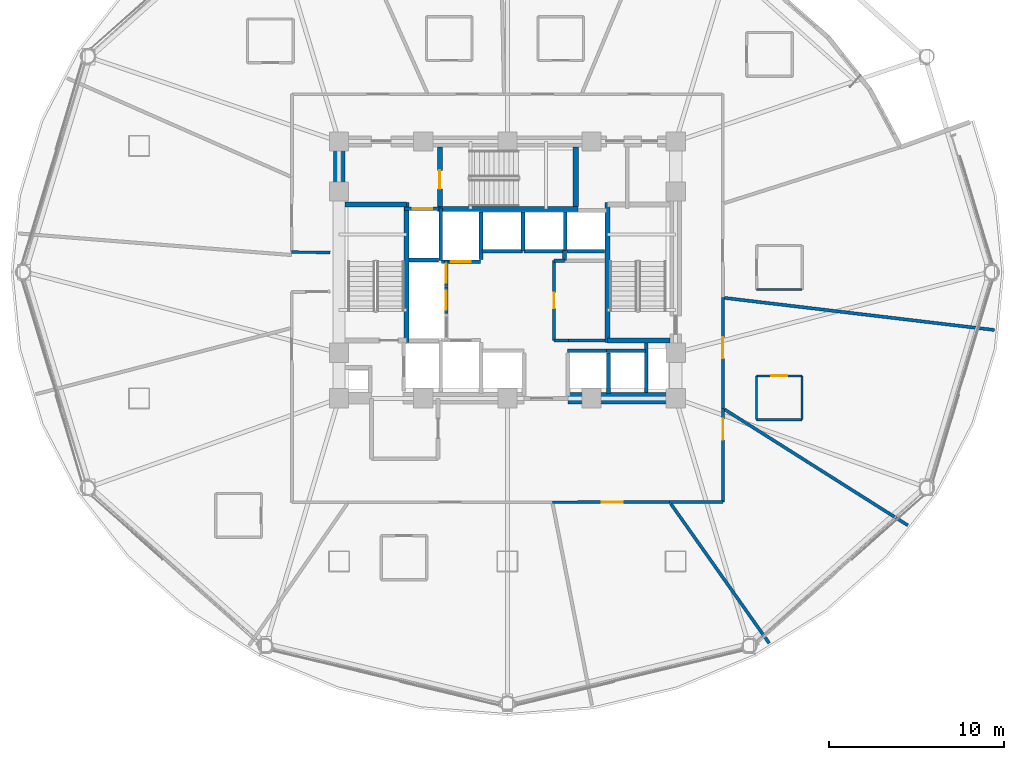
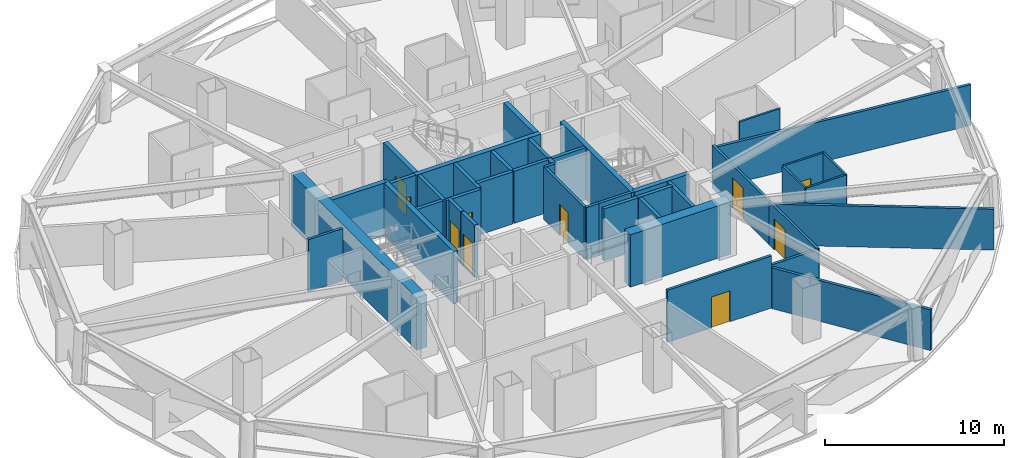
# One storey, part 9 of 16: 43 walls, 10 doors, 10 openings.
"""IFC4 building model written with IfcOpenShell, lengths in metres."""

from ifc_helpers import new_model, si_unit, direction, frame, frame_2d, origin, place, context, subcontext, project, spatial, rectangle, extrude, material, layer, layer_set, type_object, element, fill, save


model = new_model("IFC4")

# Units and contexts
model_context = context("Model", 3, precision=1e-05, world=origin(), true_north=direction((0.0, 1.0)))
body_context = subcontext(model_context, "Body", "Model", "MODEL_VIEW")
ifc_project = project(units=[si_unit("LENGTHUNIT", "METRE"), si_unit("AREAUNIT", "SQUARE_METRE"), si_unit("VOLUMEUNIT", "CUBIC_METRE"), si_unit("PLANEANGLEUNIT", "RADIAN"), si_unit("MASSUNIT", "GRAM", prefix="KILO")], contexts=[model_context])

# Site, building, storey
site_placement = place(None, origin())
site = spatial("IfcSite", under=ifc_project, at=site_placement, CompositionType="ELEMENT")
building_placement = place(site_placement, origin())
building = spatial("IfcBuilding", under=site, at=building_placement, Name="Vantalir Tower", CompositionType="ELEMENT")
storey_placement = place(building_placement, frame((0.0, 0.0, 75.75)))
storey = spatial("IfcBuildingStorey", under=building, at=storey_placement, Name="L18", CompositionType="ELEMENT", Elevation=75.75)

# Wall
ifc_material_1 = material(Name="Moisture-resistant en-suite partition", Category="gypsum")
ifc_layer_1 = layer(ifc_material_1, 0.125)
ifc_layer_set_1 = layer_set([ifc_layer_1], Name="Moisture-resistant en-suite partition")
wall_type_1 = type_object("IfcWallType", Name="WL-BATH-125", PredefinedType="PARTITIONING", material=ifc_layer_set_1)
wall_1_placement = place(storey_placement, frame((45.7109375, 16.5791015625, 0.0), z_axis=(0.0, 0.0, 1.0), x_axis=(1.0, 0.0, 0.0)))
element("IfcWall", 1, at=wall_1_placement, inside=storey, type_object=wall_type_1, Name="L18 En-suite 11 South Wall", PredefinedType="PARTITIONING", context=body_context, shape_type="SweptSolid", body=[
    extrude(rectangle(XDim=2.60009765625, YDim=0.125, at=frame_2d((1.300048828125, 0.0))), origin(), (0.0, 0.0, 1.0), 3.550048828125),
])

# Wall, opening, door
wall_2_placement = place(storey_placement, frame((45.7109375, 19.0791015625, 0.0), z_axis=(0.0, 0.0, 1.0), x_axis=(1.0, 0.0, 0.0)))
wall_2 = element("IfcWall", 2, at=wall_2_placement, inside=storey, type_object=wall_type_1, Name="L18 En-suite 11 North Wall", PredefinedType="PARTITIONING", context=body_context, shape_type="SweptSolid", body=[
    extrude(rectangle(XDim=2.60009765625, YDim=0.125, at=frame_2d((1.300048828125, 0.0))), origin(), (0.0, 0.0, 1.0), 3.550048828125),
])
opening_1_placement = place(wall_2_placement, frame((0.85009765625, 0.0, 0.0)))
opening_1 = element("IfcOpeningElement", 3, at=opening_1_placement, cuts=wall_2, Name="Opening D-WC", PredefinedType="OPENING", context=body_context, shape_type="SweptSolid", body=[
    extrude(rectangle(XDim=0.89990234375, YDim=2.10009765625, at=frame_2d((0.449951171875, 1.050048828125))), frame((0.0, 0.072509765625, 0.0), z_axis=(0.0, -1.0, 0.0), x_axis=(1.0, 0.0, 0.0)), (0.0, 0.0, 1.0), 0.14501953125),
])
ifc_material_2 = material(Name="Moisture-resistant hardwood door", Category="wood")
door_type_1 = type_object("IfcDoorType", Name="DR-ENSUITE-900", OperationType="NOTDEFINED", PredefinedType="DOOR", material=ifc_material_2)
door_1_placement = place(opening_1_placement, frame((0.89990234375, 0.0, 0.0), z_axis=(0.0, 0.0, 1.0), x_axis=(-1.0, 0.0, 0.0)))
door_1 = element("IfcDoor", 4, at=door_1_placement, inside=storey, type_object=door_type_1, Name="L18 En-suite 11 Door", OperationType="SINGLE_SWING_RIGHT", OverallHeight=2.10009765625, OverallWidth=0.89990234375, PredefinedType="DOOR", context=body_context, shape_type="SweptSolid", body=[
    extrude(rectangle(XDim=0.89990234375, YDim=2.10009765625, at=frame_2d((0.449951171875, 1.050048828125))), frame((0.0, 0.02490234375, 0.0), z_axis=(0.0, -1.0, 0.0), x_axis=(1.0, 0.0, 0.0)), (0.0, 0.0, 1.0), 0.050048828125),
])
fill(opening_1, door_1)

# Walls
for number, where, z_axis, x_axis, name in (
    (5, (45.7109375, 16.5791015625, 0.0), (0.0, 0.0, 1.0), (0.0, 1.0, 0.0), "L18 En-suite 11 West Wall"),
    (6, (48.31103515625, 16.5791015625, 0.0), (0.0, 0.0, 1.0), (0.0, 1.0, 0.0), "L18 En-suite 11 East Wall"),
):
    element("IfcWall", number, at=place(storey_placement, frame(where, z_axis=z_axis, x_axis=x_axis)), inside=storey, type_object=wall_type_1, Name=name, PredefinedType="PARTITIONING", context=body_context, shape_type="SweptSolid", body=[
        extrude(rectangle(XDim=2.5, YDim=0.125, at=frame_2d((1.25, 0.0))), origin(), (0.0, 0.0, 1.0), 3.550048828125),
    ])
wall_3_placement = place(storey_placement, frame((45.717041015625, 24.010986328125, 0.0), z_axis=(0.0, 0.0, 1.0), x_axis=(1.0, 0.0, 0.0)))
element("IfcWall", 7, at=wall_3_placement, inside=storey, type_object=wall_type_1, Name="L18 En-suite 12 South Wall", PredefinedType="PARTITIONING", context=body_context, shape_type="SweptSolid", body=[
    extrude(rectangle(XDim=2.599853515625, YDim=0.125, at=frame_2d((1.2998046875, 0.0))), origin(), (0.0, 0.0, 1.0), 3.550048828125),
])
ifc_material_3 = material(Name="Concrete C60/75", Category="concrete")
ifc_layer_2 = layer(ifc_material_3, 0.64990234375)
ifc_layer_set_2 = layer_set([ifc_layer_2], Name="Concrete C60/75")
wall_type_2 = type_object("IfcWallType", Name="WL-CORE-650", PredefinedType="SHEAR", material=ifc_layer_set_2)
wall_4_placement = place(storey_placement, frame((34.949951171875, 17.800048828125, 0.0), z_axis=(0.0, 0.0, 1.0), x_axis=(1.0, 0.0, 0.0)))
element("IfcWall", 8, at=wall_4_placement, inside=storey, type_object=wall_type_2, Name="L18 Core Shear Wall South-East", PredefinedType="SHEAR", context=body_context, shape_type="SweptSolid", body=[
    extrude(rectangle(XDim=6.47509765625, YDim=0.64990234375, at=frame_2d((3.237548828125, 0.0))), origin(), (0.0, 0.0, 1.0), 3.570068359375),
])
wall_5_placement = place(storey_placement, frame((21.89990234375, 18.125, 0.0), z_axis=(0.0, 0.0, 1.0), x_axis=(0.0, 1.0, 0.0)))
element("IfcWall", 9, at=wall_5_placement, inside=storey, type_object=wall_type_2, Name="L18 Core Shear Wall West", PredefinedType="SHEAR", context=body_context, shape_type="SweptSolid", body=[
    extrude(rectangle(XDim=14.0, YDim=0.64990234375, at=frame_2d((7.0, 0.0))), origin(), (0.0, 0.0, 1.0), 3.570068359375),
])
ifc_material_4 = material(Name="Fire-rated hotel corridor acoustic partition", Category="gypsum")
ifc_layer_3 = layer(ifc_material_4, 0.159912109375)
ifc_layer_set_3 = layer_set([ifc_layer_3], Name="Fire-rated hotel corridor acoustic partition")
wall_type_3 = type_object("IfcWallType", Name="WL-CORR-160", PredefinedType="PARTITIONING", material=ifc_layer_set_3)
wall_6_placement = place(storey_placement, frame((21.39501953125, 26.116943359375, 0.0), z_axis=(0.0, 0.0, 1.0), x_axis=(-0.999934504226, 0.011444966545, 0.0)))
element("IfcWall", 10, at=wall_6_placement, inside=storey, type_object=wall_type_3, Name="L18 Corridor Partition 01", PredefinedType="PARTITIONING", context=body_context, shape_type="SweptSolid", body=[
    extrude(rectangle(XDim=2.197265625, YDim=0.159912109375, at=frame_2d((1.0986328125, 0.0))), origin(), (0.0, 0.0, 1.0), 3.550048828125),
])

# Wall, opening, door
wall_7_placement = place(storey_placement, frame((43.7900390625, 23.5390625, 0.0), z_axis=(0.0, 0.0, 1.0), x_axis=(0.000618668198, -0.999999808625, 0.0)))
wall_7 = element("IfcWall", 11, at=wall_7_placement, inside=storey, type_object=wall_type_3, Name="L18 Corridor Partition 10", PredefinedType="PARTITIONING", context=body_context, shape_type="SweptSolid", body=[
    extrude(rectangle(XDim=6.31396484375, YDim=0.159912109375, at=frame_2d((3.156982421875, 0.0))), origin(), (0.0, 0.0, 1.0), 2.927978515625),
])
opening_2_placement = place(wall_7_placement, frame((2.257080078125, 0.0, 0.0)))
opening_2 = element("IfcOpeningElement", 12, at=opening_2_placement, cuts=wall_7, Name="Opening D-STE", PredefinedType="OPENING", context=body_context, shape_type="SweptSolid", body=[
    extrude(rectangle(XDim=1.199951171875, YDim=2.10009765625, at=frame_2d((0.60009765625, 1.050048828125))), frame((0.0, 0.08984375, 0.0), z_axis=(0.0, -1.0, 0.0), x_axis=(1.0, 0.0, 0.0)), (0.0, 0.0, 1.0), 0.179931640625),
])
ifc_material_5 = material(Name="Solid-core teak veneer suite entrance door", Category="wood")
door_type_2 = type_object("IfcDoorType", Name="DR-SUITE-ENTRY-1200", OperationType="NOTDEFINED", PredefinedType="DOOR", material=ifc_material_5)
door_2_placement = place(opening_2_placement, origin())
door_2 = element("IfcDoor", 13, at=door_2_placement, inside=storey, type_object=door_type_2, Name="L18 Corner Panorama Hotel Suite 11 Door", OperationType="SINGLE_SWING_LEFT", OverallHeight=2.10009765625, OverallWidth=1.199951171875, PredefinedType="DOOR", context=body_context, shape_type="SweptSolid", body=[
    extrude(rectangle(XDim=1.199951171875, YDim=2.10009765625, at=frame_2d((0.60009765625, 1.050048828125))), frame((0.0, 0.02490234375, 0.0), z_axis=(0.0, -1.0, 0.0), x_axis=(1.0, 0.0, 0.0)), (0.0, 0.0, 1.0), 0.050048828125),
])
fill(opening_2, door_2)

wall_8_placement = place(storey_placement, frame((43.7939453125, 17.22509765625, 0.0), z_axis=(0.0, 0.0, 1.0), x_axis=(0.000777071576, -0.99999969808, 0.0)))
wall_8 = element("IfcWall", 14, at=wall_8_placement, inside=storey, type_object=wall_type_3, Name="L18 Corridor Partition 11", PredefinedType="PARTITIONING", context=body_context, shape_type="SweptSolid", body=[
    extrude(rectangle(XDim=5.341064453125, YDim=0.159912109375, at=frame_2d((2.67041015625, 0.0))), origin(), (0.0, 0.0, 1.0), 2.927978515625),
])
opening_3_placement = place(wall_8_placement, frame((0.60107421875, 0.0, 0.0)))
opening_3 = element("IfcOpeningElement", 15, at=opening_3_placement, cuts=wall_8, Name="Opening D-STE", PredefinedType="OPENING", context=body_context, shape_type="SweptSolid", body=[
    extrude(rectangle(XDim=1.199951171875, YDim=2.10009765625, at=frame_2d((0.60009765625, 1.050048828125))), frame((0.0, 0.08984375, 0.0), z_axis=(0.0, -1.0, 0.0), x_axis=(1.0, 0.0, 0.0)), (0.0, 0.0, 1.0), 0.179931640625),
])
door_3_placement = place(opening_3_placement, origin())
door_3 = element("IfcDoor", 16, at=door_3_placement, inside=storey, type_object=door_type_2, Name="L18 Executive Sky Boardroom 10 Door", OperationType="SINGLE_SWING_RIGHT", OverallHeight=2.10009765625, OverallWidth=1.199951171875, PredefinedType="DOOR", context=body_context, shape_type="SweptSolid", body=[
    extrude(rectangle(XDim=1.199951171875, YDim=2.10009765625, at=frame_2d((0.60009765625, 1.050048828125))), frame((0.0, 0.02490234375, 0.0), z_axis=(0.0, -1.0, 0.0), x_axis=(1.0, 0.0, 0.0)), (0.0, 0.0, 1.0), 0.050048828125),
])
fill(opening_3, door_3)

# Wall
wall_9_placement = place(storey_placement, frame((43.798095703125, 11.884033203125, 0.0), z_axis=(0.0, 0.0, 1.0), x_axis=(-0.999999794312, -0.000641385261, 0.0)))
element("IfcWall", 17, at=wall_9_placement, inside=storey, type_object=wall_type_3, Name="L18 Corridor Partition 12", PredefinedType="PARTITIONING", context=body_context, shape_type="SweptSolid", body=[
    extrude(rectangle(XDim=3.045166015625, YDim=0.159912109375, at=frame_2d((1.5224609375, 0.0))), origin(), (0.0, 0.0, 1.0), 2.927978515625),
])

# Wall, opening, door
wall_10_placement = place(storey_placement, frame((40.7529296875, 11.882080078125, 0.0), z_axis=(0.0, 0.0, 1.0), x_axis=(-0.999999706426, -0.00076625534, 0.0)))
wall_10 = element("IfcWall", 18, at=wall_10_placement, inside=storey, type_object=wall_type_3, Name="L18 Corridor Partition 13", PredefinedType="PARTITIONING", context=body_context, shape_type="SweptSolid", body=[
    extrude(rectangle(XDim=6.69091796875, YDim=0.159912109375, at=frame_2d((3.345458984375, 0.0))), origin(), (0.0, 0.0, 1.0), 3.550048828125),
])
opening_4_placement = place(wall_10_placement, frame((2.672119140625, 0.0, 0.0)))
opening_4 = element("IfcOpeningElement", 19, at=opening_4_placement, cuts=wall_10, Name="Opening D-STE", PredefinedType="OPENING", context=body_context, shape_type="SweptSolid", body=[
    extrude(rectangle(XDim=1.199951171875, YDim=2.10009765625, at=frame_2d((0.60009765625, 1.050048828125))), frame((0.0, 0.08984375, 0.0), z_axis=(0.0, -1.0, 0.0), x_axis=(1.0, 0.0, 0.0)), (0.0, 0.0, 1.0), 0.179931640625),
])
door_4_placement = place(opening_4_placement, origin())
door_4 = element("IfcDoor", 20, at=door_4_placement, inside=storey, type_object=door_type_2, Name="L18 Executive Sky Boardroom 09 Door", OperationType="SINGLE_SWING_LEFT", OverallHeight=2.10009765625, OverallWidth=1.199951171875, PredefinedType="DOOR", context=body_context, shape_type="SweptSolid", body=[
    extrude(rectangle(XDim=1.199951171875, YDim=2.10009765625, at=frame_2d((0.60009765625, 1.050048828125))), frame((0.0, 0.02490234375, 0.0), z_axis=(0.0, -1.0, 0.0), x_axis=(1.0, 0.0, 0.0)), (0.0, 0.0, 1.0), 0.050048828125),
])
fill(opening_4, door_4)

# Walls
ifc_material_6 = material(Name="Concrete blockwork with fireboard lining", Category="masonry")
ifc_layer_4 = layer(ifc_material_6, 0.219970703125)
ifc_layer_set_4 = layer_set([ifc_layer_4], Name="Concrete blockwork with fireboard lining")
wall_type_4 = type_object("IfcWallType", Name="WL-FFL-220", PredefinedType="PARTITIONING", material=ifc_layer_set_4)
wall_11_placement = place(storey_placement, frame((37.27490234375, 18.080078125, 0.0), z_axis=(0.0, 0.0, 1.0), x_axis=(0.0, 1.0, 0.0)))
element("IfcWall", 21, at=wall_11_placement, inside=storey, type_object=wall_type_4, Name="L18 Shuttle Lift PL-X2/X3 Shaft Divider", PredefinedType="PARTITIONING", context=body_context, shape_type="SweptSolid", body=[
    extrude(rectangle(XDim=2.309814453125, YDim=0.219970703125, at=frame_2d((1.15478515625, 0.0))), origin(), (0.0, 0.0, 1.0), 3.544921875),
])
wall_12_placement = place(storey_placement, frame((30.0, 25.7099609375, 0.0), z_axis=(0.0, 0.0, 1.0), x_axis=(0.0, 1.0, 0.0)))
element("IfcWall", 22, at=wall_12_placement, inside=storey, type_object=wall_type_4, Name="L18 Service Lift SV2 East Shaft Wall", PredefinedType="PARTITIONING", context=body_context, shape_type="SweptSolid", body=[
    extrude(rectangle(XDim=2.72998046875, YDim=0.219970703125, at=frame_2d((1.364990234375, 0.0))), origin(), (0.0, 0.0, 1.0), 3.544921875),
])
wall_13_placement = place(storey_placement, frame((32.39990234375, 26.199951171875, 0.0), z_axis=(0.0, 0.0, 1.0), x_axis=(0.0, 1.0, 0.0)))
element("IfcWall", 23, at=wall_13_placement, inside=storey, type_object=wall_type_4, Name="L18 High-Rise Lift PL-H1/H2 Shaft Divider", PredefinedType="PARTITIONING", context=body_context, shape_type="SweptSolid", body=[
    extrude(rectangle(XDim=2.239990234375, YDim=0.219970703125, at=frame_2d((1.1201171875, 0.0))), origin(), (0.0, 0.0, 1.0), 3.544921875),
])
wall_14_placement = place(storey_placement, frame((34.800048828125, 26.22998046875, 0.0), z_axis=(0.0, 0.0, 1.0), x_axis=(0.0, 1.0, 0.0)))
element("IfcWall", 24, at=wall_14_placement, inside=storey, type_object=wall_type_4, Name="L18 High-Rise Lift PL-H2/H3 Shaft Divider", PredefinedType="PARTITIONING", context=body_context, shape_type="SweptSolid", body=[
    extrude(rectangle(XDim=2.2099609375, YDim=0.219970703125, at=frame_2d((1.10498046875, 0.0))), origin(), (0.0, 0.0, 1.0), 3.544921875),
])
wall_15_placement = place(storey_placement, frame((34.909912109375, 26.18994140625, 0.0), z_axis=(0.0, 0.0, 1.0), x_axis=(1.0, 0.0, 0.0)))
element("IfcWall", 25, at=wall_15_placement, inside=storey, type_object=wall_type_4, Name="L18 High-Rise Lift PL-H3 Rear Shaft Wall", PredefinedType="PARTITIONING", context=body_context, shape_type="SweptSolid", body=[
    extrude(rectangle(XDim=2.14013671875, YDim=0.219970703125, at=frame_2d((1.070068359375, 0.0))), origin(), (0.0, 0.0, 1.0), 3.544921875),
])
wall_16_placement = place(storey_placement, frame((39.419921875, 18.125, 0.0), z_axis=(0.0, 0.0, 1.0), x_axis=(0.0, 1.0, 0.0)))
element("IfcWall", 26, at=wall_16_placement, inside=storey, type_object=wall_type_4, Name="L18 East MEP Riser Wall W", PredefinedType="PARTITIONING", context=body_context, shape_type="SweptSolid", body=[
    extrude(rectangle(XDim=2.824951171875, YDim=0.219970703125, at=frame_2d((1.41259765625, 0.0))), origin(), (0.0, 0.0, 1.0), 3.550048828125),
])

# Wall, opening, door
wall_17_placement = place(storey_placement, frame((25.639892578125, 28.610107421875, 0.0), z_axis=(0.0, 0.0, 1.0), x_axis=(1.0, 0.0, 0.0)))
wall_17 = element("IfcWall", 27, at=wall_17_placement, inside=storey, type_object=wall_type_4, Name="L18 Lift FL2 Shaft Front Wall", PredefinedType="PARTITIONING", context=body_context, shape_type="SweptSolid", body=[
    extrude(rectangle(XDim=2.02001953125, YDim=0.219970703125, at=frame_2d((1.010009765625, 0.0))), origin(), (0.0, 0.0, 1.0), 3.550048828125),
])
opening_5_placement = place(wall_17_placement, frame((0.4599609375, 0.0, 0.0)))
opening_5 = element("IfcOpeningElement", 28, at=opening_5_placement, cuts=wall_17, Name="Opening LD-FL2", PredefinedType="OPENING", context=body_context, shape_type="SweptSolid", body=[
    extrude(rectangle(XDim=1.10009765625, YDim=2.199951171875, at=frame_2d((0.550048828125, 1.10009765625))), frame((0.0, 0.119873046875, 0.0), z_axis=(0.0, -1.0, 0.0), x_axis=(1.0, 0.0, 0.0)), (0.0, 0.0, 1.0), 0.239990234375),
])
ifc_material_7 = material(Name="Brushed stainless-steel sliding lift landing door", Category="steel")
door_type_3 = type_object("IfcDoorType", Name="DR-LIFT-LANDING-1100", OperationType="DOUBLE_DOOR_SLIDING", PredefinedType="DOOR", material=ifc_material_7)
door_5_placement = place(opening_5_placement, origin())
door_5 = element("IfcDoor", 29, at=door_5_placement, inside=storey, type_object=door_type_3, Name="L18 Lift Landing Door FL2", OperationType="DOUBLE_DOOR_SLIDING", OverallHeight=2.199951171875, OverallWidth=1.10009765625, PredefinedType="DOOR", context=body_context, shape_type="SweptSolid", body=[
    extrude(rectangle(XDim=1.10009765625, YDim=2.199951171875, at=frame_2d((0.550048828125, 1.10009765625))), frame((0.0, 0.02490234375, 0.0), z_axis=(0.0, -1.0, 0.0), x_axis=(1.0, 0.0, 0.0)), (0.0, 0.0, 1.0), 0.050048828125),
])
fill(opening_5, door_5)

wall_18_placement = place(storey_placement, frame((27.739990234375, 25.590087890625, 0.0), z_axis=(0.0, 0.0, 1.0), x_axis=(1.0, 0.0, 0.0)))
wall_18 = element("IfcWall", 30, at=wall_18_placement, inside=storey, type_object=wall_type_4, Name="L18 Lift SV2 Shaft Front Wall", PredefinedType="PARTITIONING", context=body_context, shape_type="SweptSolid", body=[
    extrude(rectangle(XDim=2.219970703125, YDim=0.219970703125, at=frame_2d((1.10986328125, 0.0))), origin(), (0.0, 0.0, 1.0), 3.550048828125),
])
opening_6_placement = place(wall_18_placement, frame((0.56005859375, 0.0, 0.0)))
opening_6 = element("IfcOpeningElement", 31, at=opening_6_placement, cuts=wall_18, Name="Opening LD-SV2", PredefinedType="OPENING", context=body_context, shape_type="SweptSolid", body=[
    extrude(rectangle(XDim=1.10009765625, YDim=2.199951171875, at=frame_2d((0.550048828125, 1.10009765625))), frame((0.0, 0.119873046875, 0.0), z_axis=(0.0, -1.0, 0.0), x_axis=(1.0, 0.0, 0.0)), (0.0, 0.0, 1.0), 0.239990234375),
])
door_6_placement = place(opening_6_placement, frame((1.10009765625, 0.0, 0.0), z_axis=(0.0, 0.0, 1.0), x_axis=(-1.0, 0.0, 0.0)))
door_6 = element("IfcDoor", 32, at=door_6_placement, inside=storey, type_object=door_type_3, Name="L18 Lift Landing Door SV2", OperationType="DOUBLE_DOOR_SLIDING", OverallHeight=2.199951171875, OverallWidth=1.10009765625, PredefinedType="DOOR", context=body_context, shape_type="SweptSolid", body=[
    extrude(rectangle(XDim=1.10009765625, YDim=2.199951171875, at=frame_2d((0.550048828125, 1.10009765625))), frame((0.0, 0.02490234375, 0.0), z_axis=(0.0, -1.0, 0.0), x_axis=(1.0, 0.0, 0.0)), (0.0, 0.0, 1.0), 0.050048828125),
])
fill(opening_6, door_6)

# Walls
for number, where, z_axis, x_axis, name in (
    (33, (37.139892578125, 20.510009765625, 0.0), (0.0, 0.0, 1.0), (1.0, 0.0, 0.0), "L18 Lift PL-X2 Shaft Rear Wall"),
    (34, (34.93994140625, 20.510009765625, 0.0), (0.0, 0.0, 1.0), (1.0, 0.0, 0.0), "L18 Lift PL-X3 Shaft Front Wall"),
):
    element("IfcWall", number, at=place(storey_placement, frame(where, z_axis=z_axis, x_axis=x_axis)), inside=storey, type_object=wall_type_4, Name=name, PredefinedType="PARTITIONING", context=body_context, shape_type="SweptSolid", body=[
        extrude(rectangle(XDim=2.239990234375, YDim=0.219970703125, at=frame_2d((1.1201171875, 0.0))), origin(), (0.0, 0.0, 1.0), 3.550048828125),
    ])
for number, where, z_axis, x_axis, name in (
    (35, (30.0400390625, 26.18994140625, 0.0), (0.0, 0.0, 1.0), (1.0, 0.0, 0.0), "L18 Lift PL-H1 Shaft Front Wall"),
    (36, (32.43994140625, 26.18994140625, 0.0), (0.0, 0.0, 1.0), (1.0, 0.0, 0.0), "L18 Lift PL-H2 Shaft Front Wall"),
):
    element("IfcWall", number, at=place(storey_placement, frame(where, z_axis=z_axis, x_axis=x_axis)), inside=storey, type_object=wall_type_4, Name=name, PredefinedType="PARTITIONING", context=body_context, shape_type="SweptSolid", body=[
        extrude(rectangle(XDim=2.320068359375, YDim=0.219970703125, at=frame_2d((1.16015625, 0.0))), origin(), (0.0, 0.0, 1.0), 3.550048828125),
    ])

# Wall, opening, door
wall_19_placement = place(storey_placement, frame((28.010009765625, 22.639892578125, 0.0), z_axis=(0.0, 0.0, 1.0), x_axis=(0.0, 1.0, 0.0)))
wall_19 = element("IfcWall", 37, at=wall_19_placement, inside=storey, type_object=wall_type_4, Name="L18 Lift PL-L2 Shaft Front Wall", PredefinedType="PARTITIONING", context=body_context, shape_type="SweptSolid", body=[
    extrude(rectangle(XDim=1.5, YDim=0.219970703125, at=frame_2d((0.75, 0.0))), origin(), (0.0, 0.0, 1.0), 3.550048828125),
])
opening_7_placement = place(wall_19_placement, frame((0.199951171875, 0.0, 0.0)))
opening_7 = element("IfcOpeningElement", 38, at=opening_7_placement, cuts=wall_19, Name="Opening LD-PL-L2", PredefinedType="OPENING", context=body_context, shape_type="SweptSolid", body=[
    extrude(rectangle(XDim=1.10009765625, YDim=2.199951171875, at=frame_2d((0.550048828125, 1.10009765625))), frame((0.0, 0.119873046875, 0.0), z_axis=(0.0, -1.0, 0.0), x_axis=(1.0, 0.0, 0.0)), (0.0, 0.0, 1.0), 0.239990234375),
])
door_7_placement = place(opening_7_placement, frame((1.10009765625, 0.0, 0.0), z_axis=(0.0, 0.0, 1.0), x_axis=(-1.0, 0.0, 0.0)))
door_7 = element("IfcDoor", 39, at=door_7_placement, inside=storey, type_object=door_type_3, Name="L18 Lift Landing Door PL-L2", OperationType="DOUBLE_DOOR_SLIDING", OverallHeight=2.199951171875, OverallWidth=1.10009765625, PredefinedType="DOOR", context=body_context, shape_type="SweptSolid", body=[
    extrude(rectangle(XDim=1.10009765625, YDim=2.199951171875, at=frame_2d((0.550048828125, 1.10009765625))), frame((0.0, 0.02490234375, 0.0), z_axis=(0.0, -1.0, 0.0), x_axis=(1.0, 0.0, 0.0)), (0.0, 0.0, 1.0), 0.050048828125),
])
fill(opening_7, door_7)

wall_20_placement = place(storey_placement, frame((28.010009765625, 24.179931640625, 0.0), z_axis=(0.0, 0.0, 1.0), x_axis=(0.0, 1.0, 0.0)))
wall_20 = element("IfcWall", 40, at=wall_20_placement, inside=storey, type_object=wall_type_4, Name="L18 Lift PL-L3 Shaft Front Wall", PredefinedType="PARTITIONING", context=body_context, shape_type="SweptSolid", body=[
    extrude(rectangle(XDim=1.5, YDim=0.219970703125, at=frame_2d((0.75, 0.0))), origin(), (0.0, 0.0, 1.0), 3.550048828125),
])
opening_8_placement = place(wall_20_placement, frame((0.199951171875, 0.0, 0.0)))
opening_8 = element("IfcOpeningElement", 41, at=opening_8_placement, cuts=wall_20, Name="Opening LD-PL-L3", PredefinedType="OPENING", context=body_context, shape_type="SweptSolid", body=[
    extrude(rectangle(XDim=1.10009765625, YDim=2.199951171875, at=frame_2d((0.550048828125, 1.10009765625))), frame((0.0, 0.119873046875, 0.0), z_axis=(0.0, -1.0, 0.0), x_axis=(1.0, 0.0, 0.0)), (0.0, 0.0, 1.0), 0.239990234375),
])
door_8_placement = place(opening_8_placement, frame((1.10009765625, 0.0, 0.0), z_axis=(0.0, 0.0, 1.0), x_axis=(-1.0, 0.0, 0.0)))
door_8 = element("IfcDoor", 42, at=door_8_placement, inside=storey, type_object=door_type_3, Name="L18 Lift Landing Door PL-L3", OperationType="DOUBLE_DOOR_SLIDING", OverallHeight=2.199951171875, OverallWidth=1.10009765625, PredefinedType="DOOR", context=body_context, shape_type="SweptSolid", body=[
    extrude(rectangle(XDim=1.10009765625, YDim=2.199951171875, at=frame_2d((0.550048828125, 1.10009765625))), frame((0.0, 0.02490234375, 0.0), z_axis=(0.0, -1.0, 0.0), x_axis=(1.0, 0.0, 0.0)), (0.0, 0.0, 1.0), 0.050048828125),
])
fill(opening_8, door_8)

# Walls
wall_21_placement = place(storey_placement, frame((27.699951171875, 25.64990234375, 0.0), z_axis=(0.0, 0.0, 1.0), x_axis=(0.0, 1.0, 0.0)))
element("IfcWall", 43, at=wall_21_placement, inside=storey, type_object=wall_type_4, Name="L18 Fire Lift FL2 Dividing Wall", PredefinedType="PARTITIONING", context=body_context, shape_type="SweptSolid", body=[
    extrude(rectangle(XDim=3.0, YDim=0.219970703125, at=frame_2d((1.5, 0.0))), origin(), (0.0, 0.0, 1.0), 3.550048828125),
])
wall_22_placement = place(storey_placement, frame((25.8798828125, 25.679931640625, 0.0), z_axis=(0.0, 0.0, 1.0), x_axis=(1.0, 0.0, 0.0)))
element("IfcWall", 44, at=wall_22_placement, inside=storey, type_object=wall_type_4, Name="L18 Low-Rise Bank North Wall", PredefinedType="PARTITIONING", context=body_context, shape_type="SweptSolid", body=[
    extrude(rectangle(XDim=1.7001953125, YDim=0.219970703125, at=frame_2d((0.85009765625, 0.0))), origin(), (0.0, 0.0, 1.0), 3.550048828125),
])
wall_23_placement = place(storey_placement, frame((34.760009765625, 25.64990234375, 0.0), z_axis=(0.0, 0.0, 1.0), x_axis=(0.0, 1.0, 0.0)))
element("IfcWall", 45, at=wall_23_placement, inside=storey, type_object=wall_type_4, Name="L18 High-Rise Shaft Shoulder Wall", PredefinedType="PARTITIONING", context=body_context, shape_type="SweptSolid", body=[
    extrude(rectangle(XDim=0.570068359375, YDim=0.219970703125, at=frame_2d((0.28515625, 0.0))), origin(), (0.0, 0.0, 1.0), 3.550048828125),
])
ifc_material_8 = material(Name="Twin-stud acoustic fire-rated gypsum partition", Category="gypsum")
ifc_layer_5 = layer(ifc_material_8, 0.179931640625)
ifc_layer_set_5 = layer_set([ifc_layer_5], Name="Twin-stud acoustic fire-rated gypsum partition")
wall_type_5 = type_object("IfcWallType", Name="WL-GUEST-180", PredefinedType="PARTITIONING", material=ifc_layer_set_5)
wall_24_placement = place(storey_placement, frame((34.97998046875, 21.10009765625, 0.0), z_axis=(0.0, 0.0, 1.0), x_axis=(1.0, 0.0, 0.0)))
element("IfcWall", 46, at=wall_24_placement, inside=storey, type_object=wall_type_5, Name="L18 Freed East Core South Wall", PredefinedType="PARTITIONING", context=body_context, shape_type="SweptSolid", body=[
    extrude(rectangle(XDim=2.080078125, YDim=0.179931640625, at=frame_2d((1.0400390625, 0.0))), origin(), (0.0, 0.0, 1.0), 3.550048828125),
])
wall_25_placement = place(storey_placement, frame((34.159912109375, 21.10009765625, 0.0), z_axis=(0.0, 0.0, 1.0), x_axis=(1.0, 0.0, 0.0)))
element("IfcWall", 47, at=wall_25_placement, inside=storey, type_object=wall_type_5, Name="L18 East IT Room South Return", PredefinedType="PARTITIONING", context=body_context, shape_type="SweptSolid", body=[
    extrude(rectangle(XDim=0.820068359375, YDim=0.179931640625, at=frame_2d((0.41015625, 0.0))), origin(), (0.0, 0.0, 1.0), 3.550048828125),
])
wall_26_placement = place(storey_placement, frame((34.159912109375, 25.64990234375, 0.0), z_axis=(0.0, 0.0, 1.0), x_axis=(1.0, 0.0, 0.0)))
element("IfcWall", 48, at=wall_26_placement, inside=storey, type_object=wall_type_5, Name="L18 East IT Room North Return", PredefinedType="PARTITIONING", context=body_context, shape_type="SweptSolid", body=[
    extrude(rectangle(XDim=0.60009765625, YDim=0.179931640625, at=frame_2d((0.300048828125, 0.0))), origin(), (0.0, 0.0, 1.0), 3.550048828125),
])

# Wall, opening, door
wall_27_placement = place(storey_placement, frame((34.159912109375, 21.10009765625, 0.0), z_axis=(0.0, 0.0, 1.0), x_axis=(0.0, 1.0, 0.0)))
wall_27 = element("IfcWall", 49, at=wall_27_placement, inside=storey, type_object=wall_type_5, Name="L18 East IT Room West Wall", PredefinedType="PARTITIONING", context=body_context, shape_type="SweptSolid", body=[
    extrude(rectangle(XDim=4.5498046875, YDim=0.179931640625, at=frame_2d((2.27490234375, 0.0))), origin(), (0.0, 0.0, 1.0), 3.550048828125),
])
opening_9_placement = place(wall_27_placement, frame((1.824951171875, 0.0, 0.0)))
opening_9 = element("IfcOpeningElement", 50, at=opening_9_placement, cuts=wall_27, Name="Opening D-CR", PredefinedType="OPENING", context=body_context, shape_type="SweptSolid", body=[
    extrude(rectangle(XDim=0.89990234375, YDim=2.10009765625, at=frame_2d((0.449951171875, 1.050048828125))), frame((0.0, 0.099853515625, 0.0), z_axis=(0.0, -1.0, 0.0), x_axis=(1.0, 0.0, 0.0)), (0.0, 0.0, 1.0), 0.199951171875),
])
ifc_material_9 = material(Name="Fire-rated steel core service door", Category="steel")
door_type_4 = type_object("IfcDoorType", Name="DR-CORE-SERV-900", OperationType="NOTDEFINED", PredefinedType="DOOR", material=ifc_material_9)
door_9_placement = place(opening_9_placement, frame((0.89990234375, 0.0, 0.0), z_axis=(0.0, 0.0, 1.0), x_axis=(-1.0, 0.0, 0.0)))
door_9 = element("IfcDoor", 51, at=door_9_placement, inside=storey, type_object=door_type_4, Name="L18 Core Data Switchroom Door", OperationType="SINGLE_SWING_RIGHT", OverallHeight=2.10009765625, OverallWidth=0.89990234375, PredefinedType="DOOR", context=body_context, shape_type="SweptSolid", body=[
    extrude(rectangle(XDim=0.89990234375, YDim=2.10009765625, at=frame_2d((0.449951171875, 1.050048828125))), frame((0.0, 0.02490234375, 0.0), z_axis=(0.0, -1.0, 0.0), x_axis=(1.0, 0.0, 0.0)), (0.0, 0.0, 1.0), 0.050048828125),
])
fill(opening_9, door_9)

# Walls
wall_28_placement = place(storey_placement, frame((40.820068359375, 11.7880859375, 0.0), z_axis=(0.0, 0.0, 1.0), x_axis=(0.576393717645, -0.817172125234, 0.0)))
element("IfcWall", 52, at=wall_28_placement, inside=storey, type_object=wall_type_5, Name="L18 Radial Suite Partition 10", PredefinedType="PARTITIONING", context=body_context, shape_type="SweptSolid", body=[
    extrude(rectangle(XDim=9.736083984375, YDim=0.179931640625, at=frame_2d((4.8681640625, 0.0))), origin(), (0.0, 0.0, 1.0), 2.77490234375),
])
wall_29_placement = place(storey_placement, frame((43.8779296875, 17.172119140625, 0.0), z_axis=(0.0, 0.0, 1.0), x_axis=(0.845177570146, -0.534485617132, 0.0)))
element("IfcWall", 53, at=wall_29_placement, inside=storey, type_object=wall_type_5, Name="L18 Radial Suite Partition 11", PredefinedType="PARTITIONING", context=body_context, shape_type="SweptSolid", body=[
    extrude(rectangle(XDim=12.378662109375, YDim=0.179931640625, at=frame_2d((6.189453125, 0.0))), origin(), (0.0, 0.0, 1.0), 2.77490234375),
])
wall_30_placement = place(storey_placement, frame((43.8779296875, 23.528076171875, 0.0), z_axis=(0.0, 0.0, 1.0), x_axis=(0.993003667009, -0.118083518354, 0.0)))
element("IfcWall", 54, at=wall_30_placement, inside=storey, type_object=wall_type_5, Name="L18 Radial Suite Partition 12", PredefinedType="PARTITIONING", context=body_context, shape_type="SweptSolid", body=[
    extrude(rectangle(XDim=15.50634765625, YDim=0.179931640625, at=frame_2d((7.753173828125, 0.0))), origin(), (0.0, 0.0, 1.0), 2.77490234375),
])
ifc_material_10 = material(Name="Concrete C50/60", Category="concrete")
ifc_layer_6 = layer(ifc_material_10, 0.300048828125)
ifc_layer_set_6 = layer_set([ifc_layer_6], Name="Concrete C50/60")
wall_type_6 = type_object("IfcWallType", Name="WL-STAIR-300", PredefinedType="SHEAR", material=ifc_layer_set_6)
wall_31_placement = place(storey_placement, frame((22.22509765625, 28.85009765625, 0.0), z_axis=(0.0, 0.0, 1.0), x_axis=(1.0, 0.0, 0.0)))
element("IfcWall", 55, at=wall_31_placement, inside=storey, type_object=wall_type_6, Name="L18 Stair ST1 North Wall", PredefinedType="SHEAR", context=body_context, shape_type="SweptSolid", body=[
    extrude(rectangle(XDim=3.514892578125, YDim=0.300048828125, at=frame_2d((1.75732421875, 0.0))), origin(), (0.0, 0.0, 1.0), 3.570068359375),
])
wall_32_placement = place(storey_placement, frame((25.739990234375, 20.97998046875, 0.0), z_axis=(0.0, 0.0, 1.0), x_axis=(0.0, 1.0, 0.0)))
element("IfcWall", 56, at=wall_32_placement, inside=storey, type_object=wall_type_6, Name="L18 Stair ST1 East Wall", PredefinedType="SHEAR", context=body_context, shape_type="SweptSolid", body=[
    extrude(rectangle(XDim=7.989990234375, YDim=0.300048828125, at=frame_2d((3.9951171875, 0.0))), origin(), (0.0, 0.0, 1.0), 3.570068359375),
])
wall_33_placement = place(storey_placement, frame((37.2099609375, 21.10009765625, 0.0), z_axis=(0.0, 0.0, 1.0), x_axis=(1.0, 0.0, 0.0)))
element("IfcWall", 57, at=wall_33_placement, inside=storey, type_object=wall_type_6, Name="L18 Stair ST2 South Wall", PredefinedType="SHEAR", context=body_context, shape_type="SweptSolid", body=[
    extrude(rectangle(XDim=3.56494140625, YDim=0.300048828125, at=frame_2d((1.782470703125, 0.0))), origin(), (0.0, 0.0, 1.0), 3.570068359375),
])
wall_34_placement = place(storey_placement, frame((37.2099609375, 20.97998046875, 0.0), z_axis=(0.0, 0.0, 1.0), x_axis=(0.0, 1.0, 0.0)))
element("IfcWall", 58, at=wall_34_placement, inside=storey, type_object=wall_type_6, Name="L18 Stair ST2 West Wall", PredefinedType="SHEAR", context=body_context, shape_type="SweptSolid", body=[
    extrude(rectangle(XDim=7.989990234375, YDim=0.300048828125, at=frame_2d((3.9951171875, 0.0))), origin(), (0.0, 0.0, 1.0), 3.570068359375),
])
wall_35_placement = place(storey_placement, frame((27.510009765625, 28.60009765625, 0.0), z_axis=(0.0, 0.0, 1.0), x_axis=(1.0, 0.0, 0.0)))
element("IfcWall", 59, at=wall_35_placement, inside=storey, type_object=wall_type_6, Name="L18 Stair ST3 South Wall", PredefinedType="SHEAR", context=body_context, shape_type="SweptSolid", body=[
    extrude(rectangle(XDim=8.030029296875, YDim=0.300048828125, at=frame_2d((4.01513671875, 0.0))), origin(), (0.0, 0.0, 1.0), 3.570068359375),
])

# Wall, opening, door
wall_36_placement = place(storey_placement, frame((27.64990234375, 28.75, 0.0), z_axis=(0.0, 0.0, 1.0), x_axis=(0.0, 1.0, 0.0)))
wall_36 = element("IfcWall", 60, at=wall_36_placement, inside=storey, type_object=wall_type_6, Name="L18 Stair ST3 West Wall", PredefinedType="SHEAR", context=body_context, shape_type="SweptSolid", body=[
    extrude(rectangle(XDim=3.375, YDim=0.300048828125, at=frame_2d((1.6875, 0.0))), origin(), (0.0, 0.0, 1.0), 3.570068359375),
])
opening_10_placement = place(wall_36_placement, frame((1.0, 0.0, 0.0)))
opening_10 = element("IfcOpeningElement", 61, at=opening_10_placement, cuts=wall_36, Name="Opening D-ST", PredefinedType="OPENING", context=body_context, shape_type="SweptSolid", body=[
    extrude(rectangle(XDim=1.050048828125, YDim=2.10009765625, at=frame_2d((0.52490234375, 1.050048828125))), frame((0.0, 0.159912109375, 0.0), z_axis=(0.0, -1.0, 0.0), x_axis=(1.0, 0.0, 0.0)), (0.0, 0.0, 1.0), 0.320068359375),
])
ifc_material_11 = material(Name="Fire-rated steel door leaf", Category="steel")
door_type_5 = type_object("IfcDoorType", Name="DR-FIRE-STAIR-1050", OperationType="NOTDEFINED", PredefinedType="DOOR", material=ifc_material_11)
door_10_placement = place(opening_10_placement, frame((1.050048828125, 0.0, 0.0), z_axis=(0.0, 0.0, 1.0), x_axis=(-1.0, 0.0, 0.0)))
door_10 = element("IfcDoor", 62, at=door_10_placement, inside=storey, type_object=door_type_5, Name="L18 Exit Stair ST3 Fire Door", OperationType="SINGLE_SWING_LEFT", OverallHeight=2.10009765625, OverallWidth=1.050048828125, PredefinedType="DOOR", context=body_context, shape_type="SweptSolid", body=[
    extrude(rectangle(XDim=1.050048828125, YDim=2.10009765625, at=frame_2d((0.52490234375, 1.050048828125))), frame((0.0, 0.02490234375, 0.0), z_axis=(0.0, -1.0, 0.0), x_axis=(1.0, 0.0, 0.0)), (0.0, 0.0, 1.0), 0.050048828125),
])
fill(opening_10, door_10)

# Wall
wall_37_placement = place(storey_placement, frame((35.39990234375, 28.75, 0.0), z_axis=(0.0, 0.0, 1.0), x_axis=(0.0, 1.0, 0.0)))
element("IfcWall", 63, at=wall_37_placement, inside=storey, type_object=wall_type_6, Name="L18 Stair ST3 East Wall", PredefinedType="SHEAR", context=body_context, shape_type="SweptSolid", body=[
    extrude(rectangle(XDim=3.375, YDim=0.300048828125, at=frame_2d((1.6875, 0.0))), origin(), (0.0, 0.0, 1.0), 3.570068359375),
])

save(model, "model.ifc")
